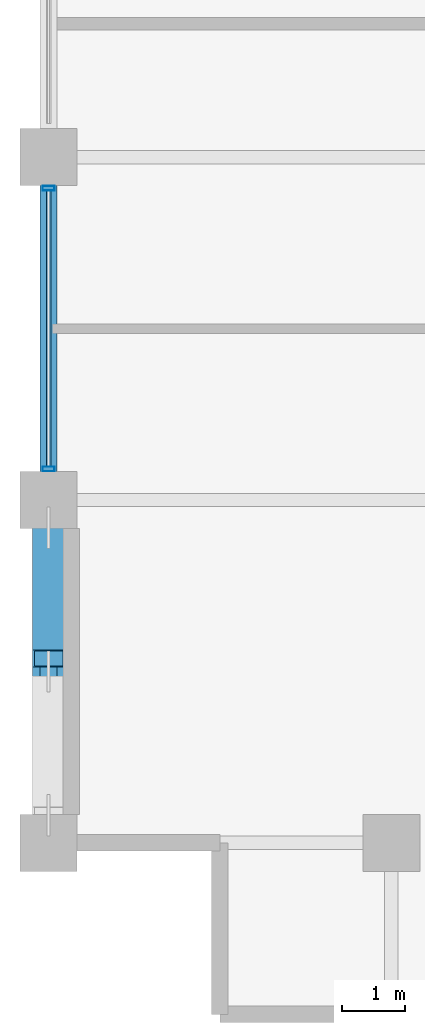
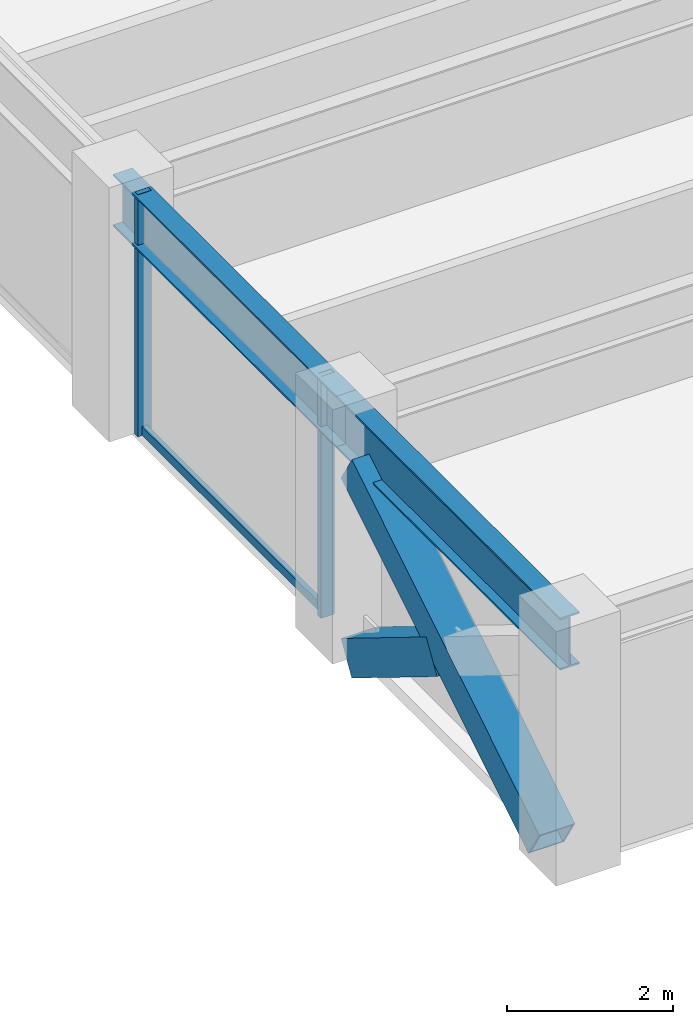
# One storey, part 4 of 32: 5 members, 2 beams, 1 element without a shape of its own.
"""IFC4 building model written with IfcOpenShell, lengths in metres."""

from ifc_helpers import new_model, si_unit, direction, frame, origin, origin_2d, place, context, subcontext, project, spatial, hollow_rectangle, i_section, extrude, material, layer, layer_set, material_profile, profile_set, type_object, element, aggregate, save


model = new_model("IFC4")

# Units and contexts
model_context = context("Model", 3, precision=1e-05, world=origin(), true_north=direction((0.0, 1.0)))
body_context = subcontext(model_context, "Body", "Model", "MODEL_VIEW")
ifc_project = project(units=[si_unit("LENGTHUNIT", "METRE"), si_unit("AREAUNIT", "SQUARE_METRE"), si_unit("VOLUMEUNIT", "CUBIC_METRE"), si_unit("PLANEANGLEUNIT", "RADIAN"), si_unit("MASSUNIT", "GRAM", prefix="KILO")], contexts=[model_context])

# Site, building, storey
site_placement = place(None, origin())
site = spatial("IfcSite", under=ifc_project, at=site_placement, CompositionType="ELEMENT")
building_placement = place(site_placement, origin())
building = spatial("IfcBuilding", under=site, at=building_placement, Name="Surkhivell Harbour Commons", CompositionType="ELEMENT")
storey_placement = place(building_placement, frame((0.0, 0.0, 208.5)))
storey = spatial("IfcBuildingStorey", under=building, at=storey_placement, Name="L54", CompositionType="ELEMENT", Elevation=208.5)

# Beams
ifc_material_1 = material(Name="Steel S355", Category="steel")
ifc_material_profile_1 = material_profile(ifc_material_1, i_section(OverallWidth=0.26806640625, OverallDepth=0.77001953125, WebThickness=0.015625, FlangeThickness=0.025390625, at=origin_2d()), Name="UB762x267x197")
ifc_profile_set_1 = profile_set([ifc_material_profile_1], Name="Steel S355")
beam_type = type_object("IfcBeamType", Name="BM-SPN-762", PredefinedType="SPANDREL", material=ifc_profile_set_1)
beam_1_placement = place(storey_placement, frame((-27.0, -16.199951171875, 3.18505859375), z_axis=(0.0, 1.0, 0.0), x_axis=(-1.0, 0.0, 0.0)))
element("IfcBeam", 1, at=beam_1_placement, inside=storey, type_object=beam_type, Name="L54 Tube Spandrel (-27.0,-16.2)", PredefinedType="SPANDREL", context=body_context, shape_type="SweptSolid", body=[
    extrude(i_section(OverallWidth=0.26806640625, OverallDepth=0.77001953125, WebThickness=0.015625, FlangeThickness=0.025390625, at=origin_2d()), origin(), (0.0, 0.0, 1.0), 5.39990234375),
])
beam_2_placement = place(storey_placement, frame((-27.0, -10.800048828125, 3.18505859375), z_axis=(0.0, 1.0, 0.0), x_axis=(-1.0, 0.0, 0.0)))
element("IfcBeam", 2, at=beam_2_placement, inside=storey, type_object=beam_type, Name="L54 Tube Spandrel (-27.0,-10.8)", PredefinedType="SPANDREL", context=body_context, shape_type="SweptSolid", body=[
    extrude(i_section(OverallWidth=0.26806640625, OverallDepth=0.77001953125, WebThickness=0.015625, FlangeThickness=0.025390625, at=origin_2d()), origin(), (0.0, 0.0, 1.0), 5.400146484375),
])

# Curtain wall, members
ifc_material_2 = material(Name="Anodised pale-metal aluminium and insulated glazing", Category="aluminium")
ifc_layer = layer(ifc_material_2, 0.18994140625)
ifc_layer_set = layer_set([ifc_layer], Name="Anodised pale-metal aluminium and insulated glazing")
curtain_wall_type = type_object("IfcCurtainWallType", Name="CW-SYS-Z3", PredefinedType="NOTDEFINED", material=ifc_layer_set)
curtain_wall_placement = place(storey_placement, origin())
curtain_wall = element("IfcCurtainWall", 3, at=curtain_wall_placement, inside=storey, type_object=curtain_wall_type, Name="L54 Curtain Wall CW-L54-E12S1", PredefinedType="NOTDEFINED")
ifc_material_3 = material(Name="Anodised pale-metal aluminium alloy 6063-T6", Category="aluminium")
ifc_material_profile_2 = material_profile(ifc_material_3, hollow_rectangle(XDim=0.074951171875, YDim=0.18994140625, WallThickness=0.00390625, at=origin_2d()), Name="ALU-MULL-75x190")
ifc_profile_set_2 = profile_set([ifc_material_profile_2], Name="Anodised pale-metal aluminium alloy 6063-T6")
member_type_1 = type_object("IfcMemberType", Name="CWM-190", PredefinedType="MULLION", material=ifc_profile_set_2)
member_1_placement = place(storey_placement, frame((-27.0, -5.889404296875, 0.0), z_axis=(0.0, 0.0, 1.0), x_axis=(0.0, -1.0, 0.0)))
member_1 = element("IfcMember", 4, at=member_1_placement, type_object=member_type_1, Name="CW-Z3 mullion 6", PredefinedType="MULLION", context=body_context, shape_type="SweptSolid", body=[
    extrude(hollow_rectangle(XDim=0.074951171875, YDim=0.18994140625, WallThickness=0.00390625, at=origin_2d()), origin(), (0.0, 0.0, 1.0), 3.570068359375),
])
member_2_placement = place(storey_placement, frame((-27.0, -10.310546875, 0.0), z_axis=(0.0, 0.0, 1.0), x_axis=(0.0, -1.0, 0.0)))
member_2 = element("IfcMember", 5, at=member_2_placement, type_object=member_type_1, Name="CW-Z3 mullion 7", PredefinedType="MULLION", context=body_context, shape_type="SweptSolid", body=[
    extrude(hollow_rectangle(XDim=0.074951171875, YDim=0.18994140625, WallThickness=0.00390625, at=origin_2d()), origin(), (0.0, 0.0, 1.0), 3.570068359375),
])
ifc_material_4 = material(Name="Champagne anodised aluminium alloy 6063-T6", Category="aluminium")
ifc_material_profile_3 = material_profile(ifc_material_4, hollow_rectangle(XDim=0.070068359375, YDim=0.1298828125, WallThickness=0.00341796875, at=origin_2d()), Name="ALU-TRAN-70x130")
ifc_profile_set_3 = profile_set([ifc_material_profile_3], Name="Champagne anodised aluminium alloy 6063-T6")
member_type_2 = type_object("IfcMemberType", Name="CWT-130", PredefinedType="USERDEFINED", material=ifc_profile_set_3)
member_3_placement = place(storey_placement, frame((-27.0, -5.927001953125, 0.06494140625), z_axis=(0.0, -1.0, 0.0), x_axis=(1.0, 0.0, 0.0)))
member_3 = element("IfcMember", 6, at=member_3_placement, type_object=member_type_2, Name="CW-Z3 transom 6.1", ObjectType="TRANSOM", PredefinedType="USERDEFINED", context=body_context, shape_type="SweptSolid", body=[
    extrude(hollow_rectangle(XDim=0.070068359375, YDim=0.1298828125, WallThickness=0.00341796875, at=origin_2d()), origin(), (0.0, 0.0, 1.0), 4.345947265625),
])
aggregate(curtain_wall, [member_1, member_2, member_3])

# Members
ifc_material_5 = material(Name="Steel S460", Category="steel")
ifc_material_profile_4 = material_profile(ifc_material_5, hollow_rectangle(XDim=0.5, YDim=0.5, WallThickness=0.02490234375, at=origin_2d()), Name="SHS500x500x25")
ifc_profile_set_4 = profile_set([ifc_material_profile_4], Name="Steel S460")
member_type_3 = type_object("IfcMemberType", Name="MEM-BRC-SHS500", PredefinedType="BRACE", material=ifc_profile_set_4)
member_4_placement = place(storey_placement, frame((-27.0, -15.764892578125, 0.008056640625), z_axis=(0.0, 0.850958380769, 0.525233123669), x_axis=(-1.0, 0.0, 0.0)))
element("IfcMember", 7, at=member_4_placement, inside=storey, type_object=member_type_3, Name="L54 Perimeter Mega-Brace MB- 10", PredefinedType="BRACE", context=body_context, shape_type="SweptSolid", body=[
    extrude(hollow_rectangle(XDim=0.5, YDim=0.5, WallThickness=0.02490234375, at=origin_2d()), origin(), (0.0, 0.0, 1.0), 5.3232421875),
])
member_5_placement = place(storey_placement, frame((-27.0, -11.235107421875, 0.008056640625), z_axis=(0.0, -0.8510034189, 0.525160147974), x_axis=(1.0, 0.0, 0.0)))
element("IfcMember", 8, at=member_5_placement, inside=storey, type_object=member_type_3, Name="L54 Perimeter Mega-Brace MB- 11", PredefinedType="BRACE", context=body_context, shape_type="SweptSolid", body=[
    extrude(hollow_rectangle(XDim=0.5, YDim=0.5, WallThickness=0.02490234375, at=origin_2d()), origin(), (0.0, 0.0, 1.0), 2.421630859375),
])

save(model, "model.ifc")
